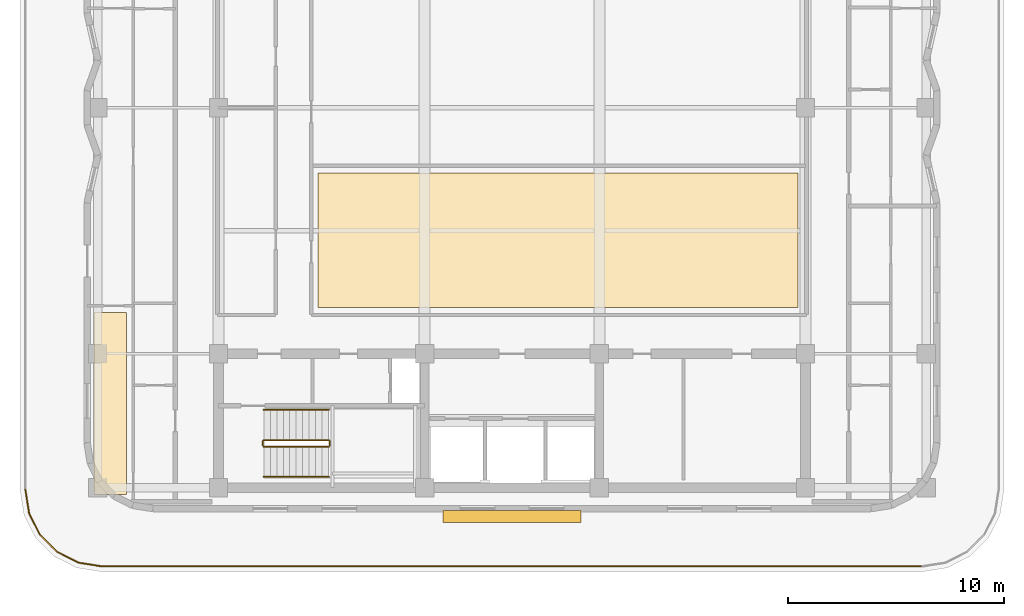
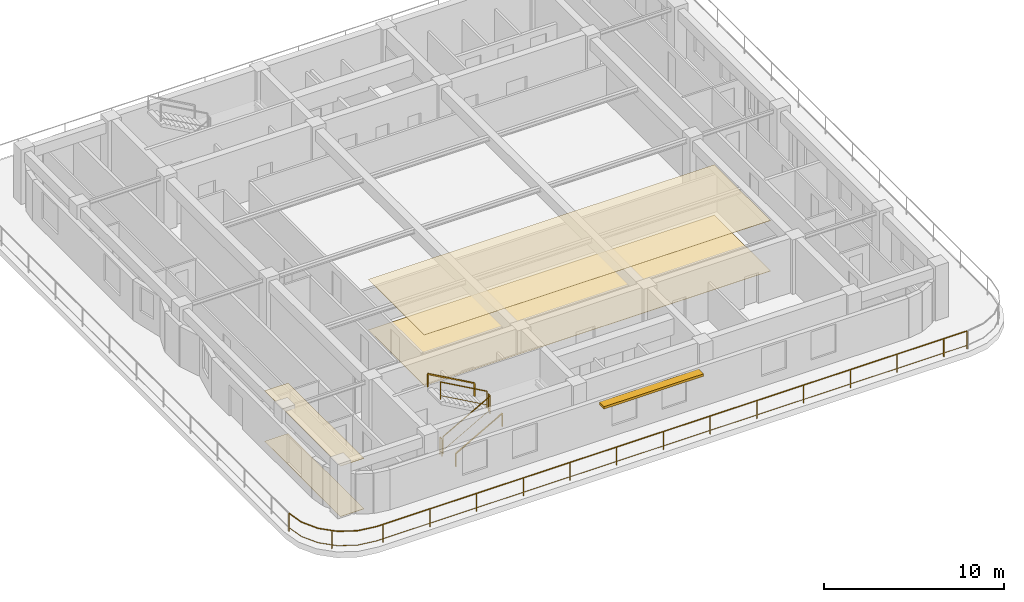
# One storey, part 7 of 9: 7 railings, 4 coverings, 1 shading device.
"""IFC4 building model written with IfcOpenShell, lengths in metres."""

from ifc_helpers import new_model, si_unit, direction, frame, origin, origin_2d, place, context, subcontext, project, spatial, polyline, rectangle, outline, extrude, material, layer, layer_set, type_object, element, save


model = new_model("IFC4")

# Units and contexts
model_context = context("Model", 3, precision=1e-05, world=origin(), true_north=direction((0.0, 1.0)))
body_context = subcontext(model_context, "Body", "Model", "MODEL_VIEW")
ifc_project = project(units=[si_unit("LENGTHUNIT", "METRE"), si_unit("AREAUNIT", "SQUARE_METRE"), si_unit("VOLUMEUNIT", "CUBIC_METRE"), si_unit("PLANEANGLEUNIT", "RADIAN"), si_unit("MASSUNIT", "GRAM", prefix="KILO")], contexts=[model_context])

# Site, building, storey
site_placement = place(None, origin())
site = spatial("IfcSite", under=ifc_project, at=site_placement, CompositionType="ELEMENT")
building_placement = place(site_placement, origin())
building = spatial("IfcBuilding", under=site, at=building_placement, Name="Svetorya Sky Lyceum", CompositionType="ELEMENT")
storey_placement = place(building_placement, frame((0.0, 0.0, 225.800048828125)))
storey = spatial("IfcBuildingStorey", under=building, at=storey_placement, Name="L56", CompositionType="ELEMENT", Elevation=225.800048828125)

# Coverings
ifc_material_1 = material(Name="Mineral-fibre classroom acoustic ceiling tile")
ifc_layer_1 = layer(ifc_material_1, 0.02392578125)
ifc_layer_set_1 = layer_set([ifc_layer_1], Name="Mineral-fibre classroom acoustic ceiling tile")
covering_type_1 = type_object("IfcCoveringType", Name="COV-CLG-AC24", PredefinedType="CEILING", material=ifc_layer_set_1)
covering_1_placement = place(storey_placement, frame((0.0, 0.0, 3.426025390625)))
element("IfcCovering", 1, at=covering_1_placement, inside=storey, type_object=covering_type_1, Name="Residents Club Hall L56 Acoustic Ceiling", PredefinedType="CEILING", context=body_context, shape_type="SweptSolid", body=[
    extrude(outline(polyline([(30.219970703125, 18.949951171875), (52.449951171875, 18.949951171875), (52.449951171875, 25.1904296875), (30.219970703125, 25.1904296875), (30.219970703125, 18.949951171875)])), origin(), (0.0, 0.0, 1.0), 0.02392578125),
])
covering_2_placement = place(storey_placement, frame((0.0, 0.0, 3.426025390625)))
element("IfcCovering", 2, at=covering_2_placement, inside=storey, type_object=covering_type_1, Name="Apartment W1 Living Room Acoustic Ceiling", PredefinedType="CEILING", context=body_context, shape_type="SweptSolid", body=[
    extrude(outline(polyline([(19.830078125, 10.280029296875), (21.340087890625, 10.280029296875), (21.340087890625, 18.7099609375), (19.830078125, 18.7099609375), (19.830078125, 10.280029296875)])), origin(), (0.0, 0.0, 1.0), 0.02392578125),
])
ifc_material_2 = material(Name="Engineered Nordic oak parquet flooring")
ifc_layer_2 = layer(ifc_material_2, 0.02197265625)
ifc_layer_set_2 = layer_set([ifc_layer_2], Name="Engineered Nordic oak parquet flooring")
covering_type_2 = type_object("IfcCoveringType", Name="COV-FLR-OAK", PredefinedType="FLOORING", material=ifc_layer_set_2)
covering_3_placement = place(storey_placement, origin())
element("IfcCovering", 3, at=covering_3_placement, inside=storey, type_object=covering_type_2, Name="Residents Club Hall L56 Architectural Flooring", PredefinedType="FLOORING", context=body_context, shape_type="SweptSolid", body=[
    extrude(outline(polyline([(30.219970703125, 18.949951171875), (52.449951171875, 18.949951171875), (52.449951171875, 25.1904296875), (30.219970703125, 25.1904296875), (30.219970703125, 18.949951171875)])), origin(), (0.0, 0.0, 1.0), 0.02197265625),
])
covering_4_placement = place(storey_placement, origin())
element("IfcCovering", 4, at=covering_4_placement, inside=storey, type_object=covering_type_2, Name="Apartment W1 Living Room Architectural Flooring", PredefinedType="FLOORING", context=body_context, shape_type="SweptSolid", body=[
    extrude(outline(polyline([(19.830078125, 10.280029296875), (21.340087890625, 10.280029296875), (21.340087890625, 18.7099609375), (19.830078125, 18.7099609375), (19.830078125, 10.280029296875)])), origin(), (0.0, 0.0, 1.0), 0.02197265625),
])

# Railings
ifc_material_3 = material(Name="Painted galvanized stair well guard")
railing_type_1 = type_object("IfcRailingType", Name="RL-STR-GUARD-1200", PredefinedType="GUARDRAIL", material=ifc_material_3)
railing_1_placement = place(storey_placement, frame((27.699951171875, 12.5, 0.168212890625)))
element("IfcRailing", 5, at=railing_1_placement, inside=storey, type_object=railing_type_1, Name="L56 ST-S stair guard 1", PredefinedType="GUARDRAIL", context=body_context, shape_type="SweptSolid", body=[
    extrude(rectangle(XDim=0.048095703125, YDim=0.048095703125, at=origin_2d()), frame((0.0, 0.0, 1.17578125), z_axis=(0.872302573547, 0.0, 0.488966481656), x_axis=(0.0, 1.0, 0.0)), (0.0, 0.0, 1.0), 3.439208984375),
    extrude(rectangle(XDim=0.02392578125, YDim=0.02392578125, at=origin_2d()), frame((0.0, 0.0, 0.25), z_axis=(0.872302573547, 0.0, 0.488966481656), x_axis=(0.0, 1.0, 0.0)), (0.0, 0.0, 1.0), 3.439208984375),
    extrude(rectangle(XDim=0.0419921875, YDim=0.0419921875, at=origin_2d()), origin(), (0.0, 0.0, 1.0), 1.15185546875),
    extrude(rectangle(XDim=0.0419921875, YDim=0.0419921875, at=origin_2d()), frame((3.0, 0.0, 1.681640625)), (0.0, 0.0, 1.0), 1.15185546875),
])
railing_2_placement = place(storey_placement, frame((30.75, 12.550048828125, 1.849853515625)))
element("IfcRailing", 6, at=railing_2_placement, inside=storey, type_object=railing_type_1, Name="L56 ST-S stair guard 2", PredefinedType="GUARDRAIL", context=body_context, shape_type="SweptSolid", body=[
    extrude(rectangle(XDim=0.048095703125, YDim=0.048095703125, at=origin_2d()), frame((0.0, 0.0, 1.17578125), z_axis=(0.0, 1.0, 0.0), x_axis=(-1.0, 0.0, 0.0)), (0.0, 0.0, 1.0), 0.199951171875),
    extrude(rectangle(XDim=0.02392578125, YDim=0.02392578125, at=origin_2d()), frame((0.0, 0.0, 0.25), z_axis=(0.0, 1.0, 0.0), x_axis=(-1.0, 0.0, 0.0)), (0.0, 0.0, 1.0), 0.199951171875),
    extrude(rectangle(XDim=0.0419921875, YDim=0.0419921875, at=origin_2d()), origin(), (0.0, 0.0, 1.0), 1.15185546875),
    extrude(rectangle(XDim=0.0419921875, YDim=0.0419921875, at=origin_2d()), frame((0.0, 0.199951171875, 0.0)), (0.0, 0.0, 1.0), 1.15185546875),
])
railing_3_placement = place(storey_placement, frame((30.699951171875, 12.800048828125, 2.01806640625)))
element("IfcRailing", 7, at=railing_3_placement, inside=storey, type_object=railing_type_1, Name="L56 ST-S stair guard 3", PredefinedType="GUARDRAIL", context=body_context, shape_type="SweptSolid", body=[
    extrude(rectangle(XDim=0.048095703125, YDim=0.048095703125, at=origin_2d()), frame((0.0, 0.0, 1.17578125), z_axis=(-0.872272294576, 0.0, 0.489020494575), x_axis=(0.0, -1.0, 0.0)), (0.0, 0.0, 1.0), 3.439208984375),
    extrude(rectangle(XDim=0.02392578125, YDim=0.02392578125, at=origin_2d()), frame((0.0, 0.0, 0.25), z_axis=(-0.872272294576, 0.0, 0.489020494575), x_axis=(0.0, -1.0, 0.0)), (0.0, 0.0, 1.0), 3.439208984375),
    extrude(rectangle(XDim=0.0419921875, YDim=0.0419921875, at=origin_2d()), origin(), (0.0, 0.0, 1.0), 1.15185546875),
    extrude(rectangle(XDim=0.0419921875, YDim=0.0419921875, at=origin_2d()), frame((-3.0, 0.0, 1.681884765625)), (0.0, 0.0, 1.0), 1.15185546875),
])
railing_4_placement = place(storey_placement, frame((27.64990234375, 12.550048828125, 0.0)))
element("IfcRailing", 8, at=railing_4_placement, inside=storey, type_object=railing_type_1, Name="L56 ST-S stair guard 4", PredefinedType="GUARDRAIL", context=body_context, shape_type="SweptSolid", body=[
    extrude(rectangle(XDim=0.048095703125, YDim=0.048095703125, at=origin_2d()), frame((0.0, 0.0, 1.17578125), z_axis=(0.0, 1.0, 0.0), x_axis=(-1.0, 0.0, 0.0)), (0.0, 0.0, 1.0), 0.199951171875),
    extrude(rectangle(XDim=0.02392578125, YDim=0.02392578125, at=origin_2d()), frame((0.0, 0.0, 0.25), z_axis=(0.0, 1.0, 0.0), x_axis=(-1.0, 0.0, 0.0)), (0.0, 0.0, 1.0), 0.199951171875),
    extrude(rectangle(XDim=0.0419921875, YDim=0.0419921875, at=origin_2d()), origin(), (0.0, 0.0, 1.0), 1.15185546875),
    extrude(rectangle(XDim=0.0419921875, YDim=0.0419921875, at=origin_2d()), frame((0.0, 0.199951171875, 0.0)), (0.0, 0.0, 1.0), 1.15185546875),
])
ifc_material_4 = material(Name="Brushed stainless AISI 304 stair handrail")
railing_type_2 = type_object("IfcRailingType", Name="RL-STR-HAND-920", PredefinedType="HANDRAIL", material=ifc_material_4)
railing_5_placement = place(storey_placement, frame((27.699951171875, 11.10009765625, 0.168212890625)))
element("IfcRailing", 9, at=railing_5_placement, inside=storey, type_object=railing_type_2, Name="L56 ST-S stair handrail 1", PredefinedType="HANDRAIL", context=body_context, shape_type="SweptSolid", body=[
    extrude(rectangle(XDim=0.048095703125, YDim=0.048095703125, at=origin_2d()), frame((0.0, 0.0, 0.8759765625), z_axis=(0.872302573547, 0.0, 0.488966481656), x_axis=(0.0, 1.0, 0.0)), (0.0, 0.0, 1.0), 3.439208984375),
    extrude(rectangle(XDim=0.0419921875, YDim=0.0419921875, at=origin_2d()), origin(), (0.0, 0.0, 1.0), 0.851806640625),
    extrude(rectangle(XDim=0.0419921875, YDim=0.0419921875, at=origin_2d()), frame((3.0, 0.0, 1.681640625)), (0.0, 0.0, 1.0), 0.851806640625),
])
railing_6_placement = place(storey_placement, frame((30.699951171875, 14.199951171875, 2.01806640625)))
element("IfcRailing", 10, at=railing_6_placement, inside=storey, type_object=railing_type_2, Name="L56 ST-S stair handrail 2", PredefinedType="HANDRAIL", context=body_context, shape_type="SweptSolid", body=[
    extrude(rectangle(XDim=0.048095703125, YDim=0.048095703125, at=origin_2d()), frame((0.0, 0.0, 0.8759765625), z_axis=(-0.872272294576, 0.0, 0.489020494575), x_axis=(0.0, -1.0, 0.0)), (0.0, 0.0, 1.0), 3.439208984375),
    extrude(rectangle(XDim=0.0419921875, YDim=0.0419921875, at=origin_2d()), origin(), (0.0, 0.0, 1.0), 0.851806640625),
    extrude(rectangle(XDim=0.0419921875, YDim=0.0419921875, at=origin_2d()), frame((-3.0, 0.0, 1.681884765625)), (0.0, 0.0, 1.0), 0.851806640625),
])
ifc_material_5 = material(Name="Bronze-anodized aluminium terrace guard", Category="aluminium")
railing_type_3 = type_object("IfcRailingType", Name="RL-TER-1250", PredefinedType="GUARDRAIL", material=ifc_material_5)
railing_7_placement = place(storey_placement, frame((16.64990234375, 10.5, 0.0)))
element("IfcRailing", 11, at=railing_7_placement, inside=storey, type_object=railing_type_3, Name="L56 Setback Terrace Guard Quadrant 1", PredefinedType="GUARDRAIL", context=body_context, shape_type="SweptSolid", body=[
    extrude(rectangle(XDim=0.048095703125, YDim=0.048095703125, at=origin_2d()), frame((0.0, 0.0, 1.22607421875), z_axis=(0.156515677229, -0.987675474425, 0.0), x_axis=(0.987675474425, 0.156515677229, 0.0)), (0.0, 0.0, 1.0), 1.110595703125),
    extrude(rectangle(XDim=0.02392578125, YDim=0.02392578125, at=origin_2d()), frame((0.0, 0.0, 0.25), z_axis=(0.156515677229, -0.987675474425, 0.0), x_axis=(0.987675474425, 0.156515677229, 0.0)), (0.0, 0.0, 1.0), 1.110595703125),
    extrude(rectangle(XDim=0.048095703125, YDim=0.048095703125, at=origin_2d()), frame((0.173828125, -1.096923828125, 1.22607421875), z_axis=(0.453882976809, -0.891061301686, 0.0), x_axis=(0.891061301686, 0.453882976809, 0.0)), (0.0, 0.0, 1.0), 1.11083984375),
    extrude(rectangle(XDim=0.02392578125, YDim=0.02392578125, at=origin_2d()), frame((0.173828125, -1.096923828125, 0.25), z_axis=(0.453882976809, -0.891061301686, 0.0), x_axis=(0.891061301686, 0.453882976809, 0.0)), (0.0, 0.0, 1.0), 1.11083984375),
    extrude(rectangle(XDim=0.048095703125, YDim=0.048095703125, at=origin_2d()), frame((0.677978515625, -2.086669921875, 1.22607421875), z_axis=(0.707106781187, -0.707106781187, 0.0), x_axis=(0.707106781187, 0.707106781187, 0.0)), (0.0, 0.0, 1.0), 1.11083984375),
    extrude(rectangle(XDim=0.02392578125, YDim=0.02392578125, at=origin_2d()), frame((0.677978515625, -2.086669921875, 0.25), z_axis=(0.707106781187, -0.707106781187, 0.0), x_axis=(0.707106781187, 0.707106781187, 0.0)), (0.0, 0.0, 1.0), 1.11083984375),
    extrude(rectangle(XDim=0.048095703125, YDim=0.048095703125, at=origin_2d()), frame((1.46337890625, -2.8720703125, 1.22607421875), z_axis=(0.891061301686, -0.453882976809, 0.0), x_axis=(0.453882976809, 0.891061301686, 0.0)), (0.0, 0.0, 1.0), 1.11083984375),
    extrude(rectangle(XDim=0.02392578125, YDim=0.02392578125, at=origin_2d()), frame((1.46337890625, -2.8720703125, 0.25), z_axis=(0.891061301686, -0.453882976809, 0.0), x_axis=(0.453882976809, 0.891061301686, 0.0)), (0.0, 0.0, 1.0), 1.11083984375),
    extrude(rectangle(XDim=0.048095703125, YDim=0.048095703125, at=origin_2d()), frame((2.453125, -3.376220703125, 1.22607421875), z_axis=(0.987675474425, -0.156515677229, 0.0), x_axis=(0.156515677229, 0.987675474425, 0.0)), (0.0, 0.0, 1.0), 1.110595703125),
    extrude(rectangle(XDim=0.02392578125, YDim=0.02392578125, at=origin_2d()), frame((2.453125, -3.376220703125, 0.25), z_axis=(0.987675474425, -0.156515677229, 0.0), x_axis=(0.156515677229, 0.987675474425, 0.0)), (0.0, 0.0, 1.0), 1.110595703125),
    extrude(rectangle(XDim=0.048095703125, YDim=0.048095703125, at=origin_2d()), frame((3.550048828125, -3.550048828125, 1.22607421875), z_axis=(1.0, 0.0, 0.0), x_axis=(0.0, 1.0, 0.0)), (0.0, 0.0, 1.0), 37.93994140625),
    extrude(rectangle(XDim=0.02392578125, YDim=0.02392578125, at=origin_2d()), frame((3.550048828125, -3.550048828125, 0.25), z_axis=(1.0, 0.0, 0.0), x_axis=(0.0, 1.0, 0.0)), (0.0, 0.0, 1.0), 37.93994140625),
    extrude(rectangle(XDim=0.0419921875, YDim=0.0419921875, at=origin_2d()), origin(), (0.0, 0.0, 1.0), 1.201904296875),
    extrude(rectangle(XDim=0.0419921875, YDim=0.0419921875, at=origin_2d()), frame((1.228515625, -2.63720703125, 0.0)), (0.0, 0.0, 1.0), 1.201904296875),
    extrude(rectangle(XDim=0.0419921875, YDim=0.0419921875, at=origin_2d()), frame((3.99658203125, -3.550048828125, 0.0)), (0.0, 0.0, 1.0), 1.201904296875),
    extrude(rectangle(XDim=0.0419921875, YDim=0.0419921875, at=origin_2d()), frame((6.99658203125, -3.550048828125, 0.0)), (0.0, 0.0, 1.0), 1.201904296875),
    extrude(rectangle(XDim=0.0419921875, YDim=0.0419921875, at=origin_2d()), frame((9.99658203125, -3.550048828125, 0.0)), (0.0, 0.0, 1.0), 1.201904296875),
    extrude(rectangle(XDim=0.0419921875, YDim=0.0419921875, at=origin_2d()), frame((12.99658203125, -3.550048828125, 0.0)), (0.0, 0.0, 1.0), 1.201904296875),
    extrude(rectangle(XDim=0.0419921875, YDim=0.0419921875, at=origin_2d()), frame((15.99658203125, -3.550048828125, 0.0)), (0.0, 0.0, 1.0), 1.201904296875),
    extrude(rectangle(XDim=0.0419921875, YDim=0.0419921875, at=origin_2d()), frame((18.99658203125, -3.550048828125, 0.0)), (0.0, 0.0, 1.0), 1.201904296875),
    extrude(rectangle(XDim=0.0419921875, YDim=0.0419921875, at=origin_2d()), frame((21.99658203125, -3.550048828125, 0.0)), (0.0, 0.0, 1.0), 1.201904296875),
    extrude(rectangle(XDim=0.0419921875, YDim=0.0419921875, at=origin_2d()), frame((24.99658203125, -3.550048828125, 0.0)), (0.0, 0.0, 1.0), 1.201904296875),
    extrude(rectangle(XDim=0.0419921875, YDim=0.0419921875, at=origin_2d()), frame((27.99658203125, -3.550048828125, 0.0)), (0.0, 0.0, 1.0), 1.201904296875),
    extrude(rectangle(XDim=0.0419921875, YDim=0.0419921875, at=origin_2d()), frame((30.99658203125, -3.550048828125, 0.0)), (0.0, 0.0, 1.0), 1.201904296875),
    extrude(rectangle(XDim=0.0419921875, YDim=0.0419921875, at=origin_2d()), frame((33.99658203125, -3.550048828125, 0.0)), (0.0, 0.0, 1.0), 1.201904296875),
    extrude(rectangle(XDim=0.0419921875, YDim=0.0419921875, at=origin_2d()), frame((36.99658203125, -3.550048828125, 0.0)), (0.0, 0.0, 1.0), 1.201904296875),
    extrude(rectangle(XDim=0.0419921875, YDim=0.0419921875, at=origin_2d()), frame((39.99658203125, -3.550048828125, 0.0)), (0.0, 0.0, 1.0), 1.201904296875),
    extrude(rectangle(XDim=0.0419921875, YDim=0.0419921875, at=origin_2d()), frame((41.489990234375, -3.550048828125, 0.0)), (0.0, 0.0, 1.0), 1.201904296875),
])

# Shading device
ifc_material_6 = material(Name="Champagne-anodized extruded aluminium sunshade", Category="aluminium")
ifc_layer_3 = layer(ifc_material_6, 0.159912109375)
ifc_layer_set_3 = layer_set([ifc_layer_3], Name="Champagne-anodized extruded aluminium sunshade")
shading_device_type = type_object("IfcShadingDeviceType", Name="SHD-LVR-540", PredefinedType="AWNING", material=ifc_layer_set_3)
shading_device_placement = place(storey_placement, frame((39.199951171875, 9.260009765625, 2.43017578125), z_axis=(0.0, 0.0, 1.0), x_axis=(1.0, 0.0, 0.0)))
element("IfcShadingDevice", 12, at=shading_device_placement, inside=storey, type_object=shading_device_type, Name="L56 Solar Brise-Soleil SHD-1.6M", PredefinedType="AWNING", context=body_context, shape_type="SweptSolid", body=[
    extrude(rectangle(XDim=6.39990234375, YDim=0.5400390625, at=origin_2d()), origin(), (0.0, 0.0, 1.0), 0.159912109375),
])

save(model, "model.ifc")
